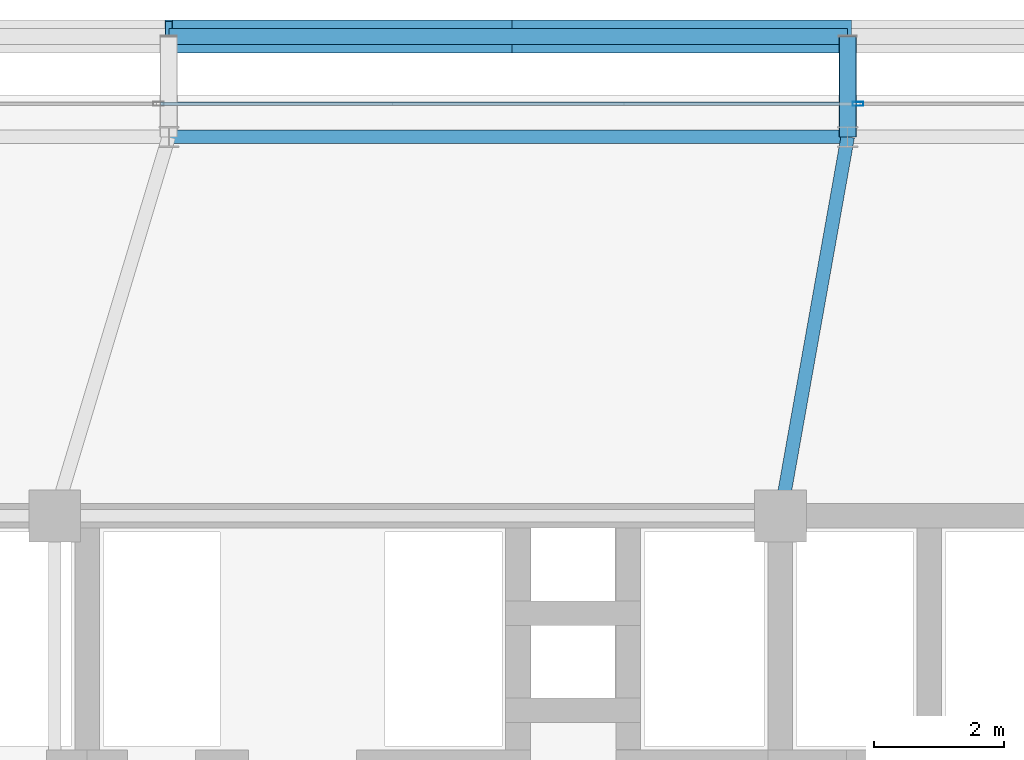
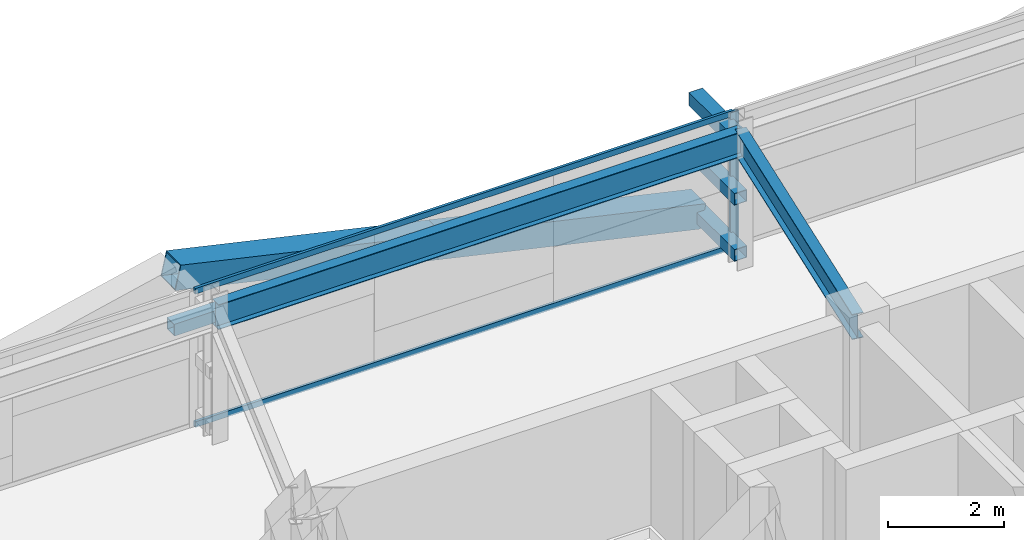
# One storey, part 25 of 45: 9 members, 2 beams, 1 element without a shape of its own.
"""IFC4 building model written with IfcOpenShell, lengths in metres."""

from ifc_helpers import new_model, si_unit, direction, frame, origin, origin_2d, place, context, subcontext, project, spatial, hollow_rectangle, i_section, extrude, source, transform, mapped, material, layer, layer_set, material_profile, profile_set, type_object, element, aggregate, save


model = new_model("IFC4")

# Units and contexts
model_context = context("Model", 3, precision=1e-05, world=origin(), true_north=direction((0.0, 1.0)))
body_context = subcontext(model_context, "Body", "Model", "MODEL_VIEW")
ifc_project = project(units=[si_unit("LENGTHUNIT", "METRE"), si_unit("AREAUNIT", "SQUARE_METRE"), si_unit("VOLUMEUNIT", "CUBIC_METRE"), si_unit("PLANEANGLEUNIT", "RADIAN"), si_unit("MASSUNIT", "GRAM", prefix="KILO")], contexts=[model_context])

# Site, building, storey
site_placement = place(None, origin())
site = spatial("IfcSite", under=ifc_project, at=site_placement, CompositionType="ELEMENT")
building_placement = place(site_placement, origin())
building = spatial("IfcBuilding", under=site, at=building_placement, Name="Taldren Reach Tower", CompositionType="ELEMENT")
storey_placement = place(building_placement, frame((0.0, 0.0, 57.75)))
storey = spatial("IfcBuildingStorey", under=building, at=storey_placement, Name="L17", CompositionType="ELEMENT", Elevation=57.75)

# Beams
ifc_material_1 = material(Name="Steel Gr 350 (350PLUS)", Category="steel")
ifc_material_profile_1 = material_profile(ifc_material_1, i_section(OverallWidth=0.208984375, OverallDepth=0.528076171875, WebThickness=0.009521484375, FlangeThickness=0.01318359375, at=origin_2d()), Name="530UB82.0")
ifc_profile_set_1 = profile_set([ifc_material_profile_1], Name="Steel Gr 350 (350PLUS)")
beam_type_1 = type_object("IfcBeamType", Name="SP-UB530B", PredefinedType="SPANDREL", material=ifc_profile_set_1)
shared_shape_1 = source(origin(), body_context, "Body", "SweptSolid", [
    extrude(i_section(OverallWidth=0.208984375, OverallDepth=0.528076171875, WebThickness=0.009521484375, FlangeThickness=0.01318359375, at=origin_2d()), origin(), (0.0, 0.0, 1.0), 10.47998046875),
])
beam_1_placement = place(storey_placement, frame((40.239990234375, 37.85009765625, 2.60595703125), z_axis=(-1.0, 0.0, 0.0), x_axis=(0.0, -1.0, 0.0)))
element("IfcBeam", 1, at=beam_1_placement, inside=storey, type_object=beam_type_1, Name="Perimeter spandrel B1 N4-N3 L17", PredefinedType="SPANDREL", context=body_context, shape_type="MappedRepresentation", body=[
    mapped(shared_shape_1, transform((0.0, 0.0, 0.0), scale=1.0)),
])
ifc_material_profile_2 = material_profile(ifc_material_1, i_section(OverallWidth=0.208984375, OverallDepth=0.532958984375, WebThickness=0.01025390625, FlangeThickness=0.015625, at=origin_2d()), Name="530UB92.4")
ifc_profile_set_2 = profile_set([ifc_material_profile_2], Name="Steel Gr 350 (350PLUS)")
beam_type_2 = type_object("IfcBeamType", Name="BM-UB530A", PredefinedType="BEAM", material=ifc_profile_set_2)
shared_shape_2 = source(origin(), body_context, "Body", "SweptSolid", [
    extrude(i_section(OverallWidth=0.208984375, OverallDepth=0.532958984375, WebThickness=0.01025390625, FlangeThickness=0.015625, at=origin_2d()), origin(), (0.0, 0.0, 1.0), 5.94189453125),
])
beam_2_placement = place(storey_placement, frame((39.199951171875, 32.0, 2.603515625), z_axis=(0.17503687513, 0.984561878373, 0.0), x_axis=(-0.984561878373, 0.17503687513, 0.0)))
element("IfcBeam", 2, at=beam_2_placement, inside=storey, type_object=beam_type_2, Name="Primary floor girder B1-N4 L17", PredefinedType="BEAM", context=body_context, shape_type="MappedRepresentation", body=[
    mapped(shared_shape_2, transform((0.0, 0.0, 0.0), scale=1.0)),
])

# Members
ifc_material_2 = material(Name="Steel Gr 450 (C450L0)", Category="steel")
ifc_material_profile_3 = material_profile(ifc_material_2, hollow_rectangle(XDim=0.27490234375, YDim=0.27490234375, WallThickness=0.00927734375, at=origin_2d()), Name="275x275x9.3SHS")
ifc_profile_set_3 = profile_set([ifc_material_profile_3], Name="Steel Gr 450 (C450L0)")
member_type_1 = type_object("IfcMemberType", Name="MB-TIE273", PredefinedType="STRUT", material=ifc_profile_set_3)
shared_shape_3 = source(origin(), body_context, "Body", "SweptSolid", [
    extrude(hollow_rectangle(XDim=0.27490234375, YDim=0.27490234375, WallThickness=0.00927734375, at=origin_2d()), origin(), (0.0, 0.0, 1.0), 1.5498046875),
])
member_1_placement = place(storey_placement, frame((40.239990234375, 37.85009765625, 2.590087890625), z_axis=(0.0, 1.0, 0.0), x_axis=(-1.0, 0.0, 0.0)))
element("IfcMember", 3, at=member_1_placement, inside=storey, type_object=member_type_1, Name="Exoskeleton diaphragm tie strut B1-N4 L17", PredefinedType="STRUT", context=body_context, shape_type="MappedRepresentation", body=[
    mapped(shared_shape_3, transform((0.0, 0.0, 0.0), scale=1.0)),
])
ifc_material_3 = material(Name="Steel Gr 350 (C350L0)", Category="steel")
ifc_material_profile_4 = material_profile(ifc_material_3, hollow_rectangle(XDim=0.25, YDim=0.25, WallThickness=0.010009765625, at=origin_2d()), Name="250x250x10.0SHS")
ifc_profile_set_4 = profile_set([ifc_material_profile_4], Name="Steel Gr 350 (C350L0)")
member_type_2 = type_object("IfcMemberType", Name="MB-POST250", PredefinedType="POST", material=ifc_profile_set_4)
shared_shape_4 = source(origin(), body_context, "Body", "SweptSolid", [
    extrude(hollow_rectangle(XDim=0.25, YDim=0.25, WallThickness=0.010009765625, at=origin_2d()), origin(), (0.0, 0.0, 1.0), 10.47998046875),
])
member_2_placement = place(storey_placement, frame((29.760009765625, 39.39990234375, 1.405029296875), z_axis=(1.0, 0.0, 0.0), x_axis=(0.0, 1.0, 0.0)))
element("IfcMember", 4, at=member_2_placement, inside=storey, type_object=member_type_2, Name="Exoskeleton mid-height ring chord B1-N3 L17", PredefinedType="POST", context=body_context, shape_type="MappedRepresentation", body=[
    mapped(shared_shape_4, transform((0.0, 0.0, 0.0), scale=1.0)),
])
shared_shape_5 = source(origin(), body_context, "Body", "SweptSolid", [
    extrude(hollow_rectangle(XDim=0.25, YDim=0.25, WallThickness=0.010009765625, at=origin_2d()), origin(), (0.0, 0.0, 1.0), 1.5498046875),
])
for number, where, z_axis, x_axis, name in (
    (5, (40.239990234375, 37.85009765625, 0.219970703125), (0.0, 1.0, 0.0), (-1.0, 0.0, 0.0), "Exoskeleton base diaphragm tie strut B1-N4 L17"),
    (6, (40.239990234375, 37.85009765625, 1.405029296875), (0.0, 1.0, 0.0), (-1.0, 0.0, 0.0), "Exoskeleton mid-tier diaphragm tie B1-N4 L17"),
):
    element("IfcMember", number, at=place(storey_placement, frame(where, z_axis=z_axis, x_axis=x_axis)), inside=storey, type_object=member_type_2, Name=name, PredefinedType="POST", context=body_context, shape_type="MappedRepresentation", body=[
        mapped(shared_shape_5, transform((0.0, 0.0, 0.0), scale=1.0)),
    ])
ifc_material_profile_5 = material_profile(ifc_material_2, hollow_rectangle(XDim=0.510009765625, YDim=0.510009765625, WallThickness=0.02001953125, at=origin_2d()), Name="510x510x20.0SHS")
ifc_profile_set_5 = profile_set([ifc_material_profile_5], Name="Steel Gr 450 (C450L0)")
member_type_3 = type_object("IfcMemberType", Name="MB-EXO508", PredefinedType="BRACE", material=ifc_profile_set_5)
shared_shape_6 = source(origin(), body_context, "Body", "SweptSolid", [
    extrude(hollow_rectangle(XDim=0.510009765625, YDim=0.510009765625, WallThickness=0.02001953125, at=origin_2d()), origin(), (0.0, 0.0, 1.0), 5.372314453125),
])
for number, where, z_axis, x_axis, name in (
    (7, (40.239990234375, 39.39990234375, 0.219970703125), (-0.975367562392, 0.0, 0.220585852297), (0.0, -1.0, 0.0), "Exoskeleton Diagrid Brace B1-N3 L17"),
    (8, (35.0, 39.39990234375, 1.405029296875), (-0.975367562392, 0.0, 0.220585852297), (0.0, -1.0, 0.0), "Exoskeleton Diagrid Brace B1-N3 L17"),
):
    element("IfcMember", number, at=place(storey_placement, frame(where, z_axis=z_axis, x_axis=x_axis)), inside=storey, type_object=member_type_3, Name=name, PredefinedType="BRACE", context=body_context, shape_type="MappedRepresentation", body=[
        mapped(shared_shape_6, transform((0.0, 0.0, 0.0), scale=1.0)),
    ])

# Curtain wall, members
ifc_material_4 = material(Name="Aluminium and Low-E Glass Unitised System", Category="aluminium")
ifc_layer = layer(ifc_material_4, 0.159912109375)
ifc_layer_set = layer_set([ifc_layer], Name="Aluminium and Low-E Glass Unitised System")
curtain_wall_type = type_object("IfcCurtainWallType", Name="CW-SYS-2", PredefinedType="NOTDEFINED", material=ifc_layer_set)
curtain_wall_placement = place(storey_placement, origin())
curtain_wall = element("IfcCurtainWall", 9, at=curtain_wall_placement, inside=storey, type_object=curtain_wall_type, Name="Unitised curtain wall CW-L17-N", PredefinedType="NOTDEFINED")
ifc_material_5 = material(Name="Anodised Aluminium 6063-T6", Category="aluminium")
ifc_material_profile_6 = material_profile(ifc_material_5, hollow_rectangle(XDim=0.054931640625, YDim=0.1201171875, WallThickness=0.0029296875, at=origin_2d()), Name="ALU-120x55x3RHS")
ifc_profile_set_6 = profile_set([ifc_material_profile_6], Name="Anodised Aluminium 6063-T6")
member_type_4 = type_object("IfcMemberType", Name="CW-TRN-135", PredefinedType="USERDEFINED", material=ifc_profile_set_6)
shared_shape_7 = source(origin(), body_context, "Body", "SweptSolid", [
    extrude(hollow_rectangle(XDim=0.054931640625, YDim=0.1201171875, WallThickness=0.0029296875, at=origin_2d()), origin(), (0.0, 0.0, 1.0), 10.73486328125),
])
member_3_placement = place(storey_placement, frame((40.367431640625, 38.360107421875, 0.027587890625), z_axis=(-1.0, 0.0, 0.0), x_axis=(0.0, -1.0, 0.0)))
member_3 = element("IfcMember", 10, at=member_3_placement, type_object=member_type_4, Name="CW-2 transom 3.1", ObjectType="TRANSOM", PredefinedType="USERDEFINED", context=body_context, shape_type="MappedRepresentation", body=[
    mapped(shared_shape_7, transform((0.0, 0.0, 0.0), scale=1.0)),
])
member_4_placement = place(storey_placement, frame((40.367431640625, 38.360107421875, 2.842529296875), z_axis=(-1.0, 0.0, 0.0), x_axis=(0.0, -1.0, 0.0)))
member_4 = element("IfcMember", 11, at=member_4_placement, type_object=member_type_4, Name="CW-2 transom 3.2", ObjectType="TRANSOM", PredefinedType="USERDEFINED", context=body_context, shape_type="MappedRepresentation", body=[
    mapped(shared_shape_7, transform((0.0, 0.0, 0.0), scale=1.0)),
])
ifc_material_profile_7 = material_profile(ifc_material_5, hollow_rectangle(XDim=0.06494140625, YDim=0.1650390625, WallThickness=0.00390625, at=origin_2d()), Name="ALU-165x65x4RHS")
ifc_profile_set_7 = profile_set([ifc_material_profile_7], Name="Anodised Aluminium 6063-T6")
member_type_5 = type_object("IfcMemberType", Name="CW-MUL-165", PredefinedType="MULLION", material=ifc_profile_set_7)
shared_shape_8 = source(origin(), body_context, "Body", "SweptSolid", [
    extrude(hollow_rectangle(XDim=0.06494140625, YDim=0.1650390625, WallThickness=0.00390625, at=origin_2d()), origin(), (0.0, 0.0, 1.0), 2.8701171875),
])
member_5_placement = place(storey_placement, frame((40.39990234375, 38.360107421875, 0.0), z_axis=(0.0, 0.0, 1.0), x_axis=(0.0, -1.0, 0.0)))
member_5 = element("IfcMember", 12, at=member_5_placement, type_object=member_type_5, Name="CW-2 mullion 3", PredefinedType="MULLION", context=body_context, shape_type="MappedRepresentation", body=[
    mapped(shared_shape_8, transform((0.0, 0.0, 0.0), scale=1.0)),
])
aggregate(curtain_wall, [member_5, member_3, member_4])

save(model, "model.ifc")
